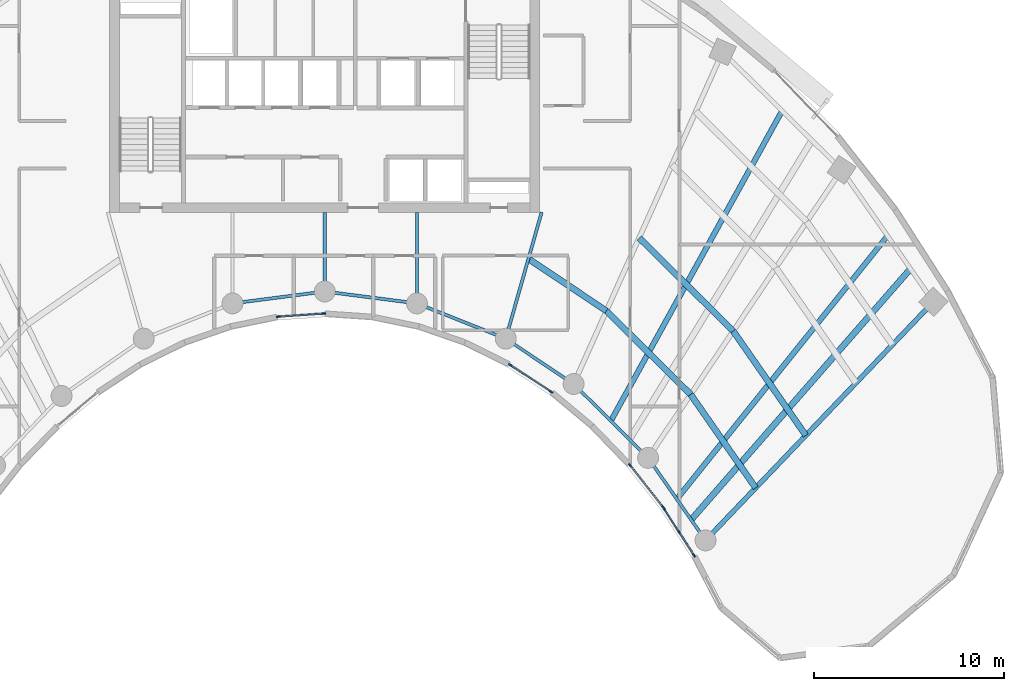
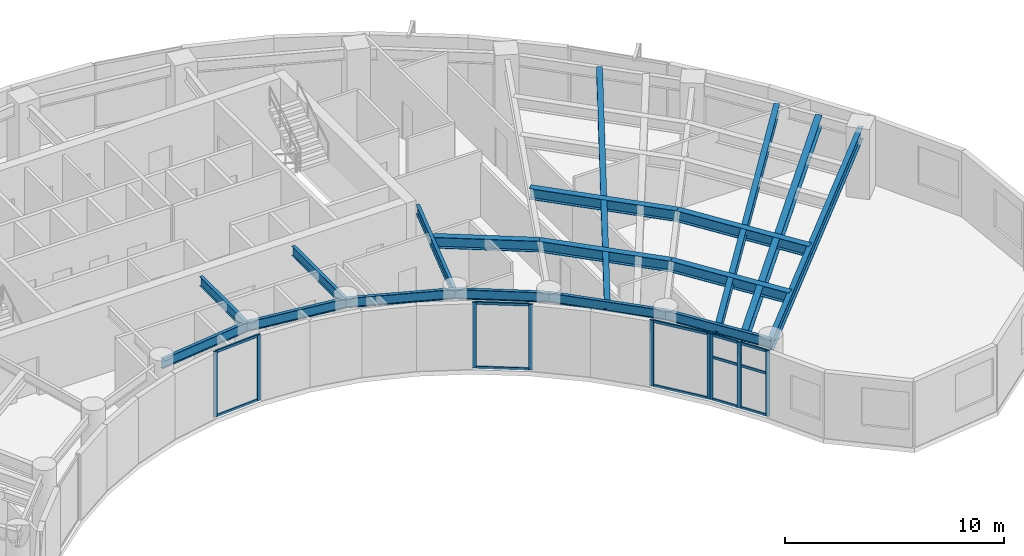
# One storey, part 3 of 13: 21 members, 18 beams, 4 elements without a shape of their own.
"""IFC4 building model written with IfcOpenShell, lengths in metres."""

from ifc_helpers import new_model, si_unit, direction, frame, origin, origin_2d, place, context, subcontext, project, spatial, rectangle, i_section, extrude, source, transform, mapped, material, layer, layer_set, material_profile, profile_set, type_object, type_shapes, element, aggregate, save


model = new_model("IFC4")

# Units and contexts
model_context = context("Model", 3, precision=1e-05, world=origin(), true_north=direction((0.0, 1.0)))
body_context = subcontext(model_context, "Body", "Model", "MODEL_VIEW")
ifc_project = project(units=[si_unit("LENGTHUNIT", "METRE"), si_unit("AREAUNIT", "SQUARE_METRE"), si_unit("VOLUMEUNIT", "CUBIC_METRE"), si_unit("PLANEANGLEUNIT", "RADIAN"), si_unit("MASSUNIT", "GRAM", prefix="KILO")], contexts=[model_context])

# Site, building, storey
site_placement = place(None, origin())
site = spatial("IfcSite", under=ifc_project, at=site_placement, CompositionType="ELEMENT")
building_placement = place(site_placement, origin())
building = spatial("IfcBuilding", under=site, at=building_placement, Name="Breltana Convention Tower", CompositionType="ELEMENT")
storey_placement = place(building_placement, frame((0.0, 0.0, 142.800048828125)))
storey = spatial("IfcBuildingStorey", under=building, at=storey_placement, Name="L34", CompositionType="ELEMENT", Elevation=142.800048828125)

# Beams
ifc_material_1 = material(Name="Steel ASTM A992 Grade 50", Category="steel")
ifc_material_profile_1 = material_profile(ifc_material_1, i_section(OverallWidth=0.25390625, OverallDepth=0.68798828125, WebThickness=0.01318359375, FlangeThickness=0.02099609375, at=origin_2d()), Name="W27X102")
ifc_profile_set_1 = profile_set([ifc_material_profile_1], Name="Steel ASTM A992 Grade 50")
beam_type_1 = type_object("IfcBeamType", Name="BM-RG-W27X102", PredefinedType="USERDEFINED", material=ifc_profile_set_1)
shared_shape_1 = source(origin(), body_context, "Body", "SweptSolid", [
    extrude(i_section(OverallWidth=0.25390625, OverallDepth=0.68798828125, WebThickness=0.01318359375, FlangeThickness=0.02099609375, at=origin_2d()), origin(), (0.0, 0.0, 1.0), 17.341064453125),
])
type_shapes(beam_type_1, [shared_shape_1])
beam_1_placement = place(storey_placement, frame((68.015380859375, 42.95458984375, 3.305908203125), z_axis=(0.690716462293, 0.723125693581, 0.0), x_axis=(-0.723125693581, 0.690716462293, 0.0)))
element("IfcBeam", 1, at=beam_1_placement, inside=storey, type_object=beam_type_1, Name="L34 Radial Floor Girder R11", ObjectType="GIRDER", PredefinedType="USERDEFINED", context=body_context, shape_type="MappedRepresentation", body=[
    mapped(shared_shape_1, transform((0.0, 0.0, 0.0), scale=1.0)),
])
ifc_material_profile_2 = material_profile(ifc_material_1, i_section(OverallWidth=0.166015625, OverallDepth=0.534912109375, WebThickness=0.01025390625, FlangeThickness=0.0166015625, at=origin_2d()), Name="W21X57")
ifc_profile_set_2 = profile_set([ifc_material_profile_2], Name="Steel ASTM A992 Grade 50")
beam_type_2 = type_object("IfcBeamType", Name="BM-BM-W21X57", PredefinedType="BEAM", material=ifc_profile_set_2)
shared_shape_2 = source(origin(), body_context, "Body", "SweptSolid", [
    extrude(i_section(OverallWidth=0.166015625, OverallDepth=0.534912109375, WebThickness=0.01025390625, FlangeThickness=0.0166015625, at=origin_2d()), origin(), (0.0, 0.0, 1.0), 6.904541015625),
])
type_shapes(beam_type_2, [shared_shape_2])
beam_2_placement = place(storey_placement, frame((59.39990234375, 60.199951171875, 3.382568359375), z_axis=(-0.273006781054, -0.962012108811, 0.0), x_axis=(0.962012108811, -0.273006781054, 0.0)))
element("IfcBeam", 2, at=beam_2_placement, inside=storey, type_object=beam_type_2, Name="L34 South Core Tie Girder R08", PredefinedType="BEAM", context=body_context, shape_type="MappedRepresentation", body=[
    mapped(shared_shape_2, transform((0.0, 0.0, 0.0), scale=1.0)),
])
shared_shape_3 = source(origin(), body_context, "Body", "SweptSolid", [
    extrude(i_section(OverallWidth=0.166015625, OverallDepth=0.534912109375, WebThickness=0.01025390625, FlangeThickness=0.0166015625, at=origin_2d()), origin(), (0.0, 0.0, 1.0), 4.789306640625),
])
beam_3_placement = place(storey_placement, frame((52.846435546875, 60.199951171875, 3.382568359375), z_axis=(0.0, -1.0, 0.0), x_axis=(1.0, 0.0, 0.0)))
element("IfcBeam", 3, at=beam_3_placement, inside=storey, type_object=beam_type_2, Name="L34 South Core Tie Girder R07", PredefinedType="BEAM", context=body_context, shape_type="MappedRepresentation", body=[
    mapped(shared_shape_3, transform((0.0, 0.0, 0.0), scale=1.0)),
])
shared_shape_4 = source(origin(), body_context, "Body", "SweptSolid", [
    extrude(i_section(OverallWidth=0.166015625, OverallDepth=0.534912109375, WebThickness=0.01025390625, FlangeThickness=0.0166015625, at=origin_2d()), origin(), (0.0, 0.0, 1.0), 4.1640625),
])
beam_4_placement = place(storey_placement, frame((48.0, 60.199951171875, 3.382568359375), z_axis=(0.0, -1.0, 0.0), x_axis=(1.0, 0.0, 0.0)))
element("IfcBeam", 4, at=beam_4_placement, inside=storey, type_object=beam_type_2, Name="L34 South Core Tie Girder R06", PredefinedType="BEAM", context=body_context, shape_type="MappedRepresentation", body=[
    mapped(shared_shape_4, transform((0.0, 0.0, 0.0), scale=1.0)),
])
shared_shape_5 = source(origin(), body_context, "Body", "SweptSolid", [
    extrude(i_section(OverallWidth=0.166015625, OverallDepth=0.534912109375, WebThickness=0.01025390625, FlangeThickness=0.0166015625, at=origin_2d()), origin(), (0.0, 0.0, 1.0), 5.022705078125),
])
beam_5_placement = place(storey_placement, frame((52.846435546875, 55.41064453125, 3.382568359375), z_axis=(0.929458966248, -0.368925507469, 0.0), x_axis=(0.368925507469, 0.929458966248, 0.0)))
element("IfcBeam", 5, at=beam_5_placement, inside=storey, type_object=beam_type_2, Name="L34 Inner Ring Beam 07", PredefinedType="BEAM", context=body_context, shape_type="MappedRepresentation", body=[
    mapped(shared_shape_5, transform((0.0, 0.0, 0.0), scale=1.0)),
])
shared_shape_6 = source(origin(), body_context, "Body", "SweptSolid", [
    extrude(i_section(OverallWidth=0.166015625, OverallDepth=0.534912109375, WebThickness=0.01025390625, FlangeThickness=0.0166015625, at=origin_2d()), origin(), (0.0, 0.0, 1.0), 4.88671875),
])
for number, where, z_axis, x_axis, name in (
    (6, (43.153564453125, 55.41064453125, 3.382568359375), (0.991780525565, 0.127950729231, 0.0), (-0.127950729231, 0.991780525565, 0.0), "L34 Inner Ring Beam 05"),
    (7, (48.0, 56.035888671875, 3.382568359375), (0.991780525565, -0.127950729231, 0.0), (0.127950729231, 0.991780525565, 0.0), "L34 Inner Ring Beam 06"),
):
    element("IfcBeam", number, at=place(storey_placement, frame(where, z_axis=z_axis, x_axis=x_axis)), inside=storey, type_object=beam_type_2, Name=name, PredefinedType="BEAM", context=body_context, shape_type="MappedRepresentation", body=[
        mapped(shared_shape_6, transform((0.0, 0.0, 0.0), scale=1.0)),
    ])
shared_shape_7 = source(origin(), body_context, "Body", "SweptSolid", [
    extrude(i_section(OverallWidth=0.166015625, OverallDepth=0.534912109375, WebThickness=0.01025390625, FlangeThickness=0.0166015625, at=origin_2d()), origin(), (0.0, 0.0, 1.0), 4.2900390625),
])
beam_6_placement = place(storey_placement, frame((57.514892578125, 53.5576171875, 3.382568359375), z_axis=(0.831515827753, -0.555501060482, 0.0), x_axis=(0.555501060482, 0.831515827753, 0.0)))
element("IfcBeam", 8, at=beam_6_placement, inside=storey, type_object=beam_type_2, Name="L34 Inner Ring Beam 08", PredefinedType="BEAM", context=body_context, shape_type="MappedRepresentation", body=[
    mapped(shared_shape_7, transform((0.0, 0.0, 0.0), scale=1.0)),
])
shared_shape_8 = source(origin(), body_context, "Body", "SweptSolid", [
    extrude(i_section(OverallWidth=0.166015625, OverallDepth=0.534912109375, WebThickness=0.01025390625, FlangeThickness=0.0166015625, at=origin_2d()), origin(), (0.0, 0.0, 1.0), 5.51171875),
])
beam_7_placement = place(storey_placement, frame((61.08203125, 51.174560546875, 3.382568359375), z_axis=(0.710090360749, -0.704110559196, 0.0), x_axis=(0.704110559196, 0.710090360749, 0.0)))
element("IfcBeam", 9, at=beam_7_placement, inside=storey, type_object=beam_type_2, Name="L34 Inner Ring Beam 09", PredefinedType="BEAM", context=body_context, shape_type="MappedRepresentation", body=[
    mapped(shared_shape_8, transform((0.0, 0.0, 0.0), scale=1.0)),
])
shared_shape_9 = source(origin(), body_context, "Body", "SweptSolid", [
    extrude(i_section(OverallWidth=0.166015625, OverallDepth=0.534912109375, WebThickness=0.01025390625, FlangeThickness=0.0166015625, at=origin_2d()), origin(), (0.0, 0.0, 1.0), 5.286376953125),
])
beam_8_placement = place(storey_placement, frame((64.995849609375, 47.293701171875, 3.382568359375), z_axis=(0.571194382458, -0.82081482531, 0.0), x_axis=(0.82081482531, 0.571194382458, 0.0)))
element("IfcBeam", 10, at=beam_8_placement, inside=storey, type_object=beam_type_2, Name="L34 Inner Ring Beam 10", PredefinedType="BEAM", context=body_context, shape_type="MappedRepresentation", body=[
    mapped(shared_shape_9, transform((0.0, 0.0, 0.0), scale=1.0)),
])
ifc_material_profile_3 = material_profile(ifc_material_1, i_section(OverallWidth=0.323974609375, OverallDepth=0.611083984375, WebThickness=0.0126953125, FlangeThickness=0.01904296875, at=origin_2d()), Name="W24X104")
ifc_profile_set_3 = profile_set([ifc_material_profile_3], Name="Steel ASTM A992 Grade 50")
beam_type_3 = type_object("IfcBeamType", Name="BM-JSG-01", PredefinedType="JOIST", material=ifc_profile_set_3)
shared_shape_10 = source(origin(), body_context, "Body", "SweptSolid", [
    extrude(i_section(OverallWidth=0.323974609375, OverallDepth=0.611083984375, WebThickness=0.0126953125, FlangeThickness=0.01904296875, at=origin_2d()), origin(), (0.0, 0.0, 1.0), 4.854736328125),
])
beam_9_placement = place(storey_placement, frame((58.767578125, 57.71240234375, 3.344482421875), z_axis=(0.831485074305, -0.555547091801, 0.0), x_axis=(0.555547091801, 0.831485074305, 0.0)))
element("IfcBeam", 11, at=beam_9_placement, inside=storey, type_object=beam_type_3, Name="L34 Composite Floor Joist 08.1", PredefinedType="JOIST", context=body_context, shape_type="MappedRepresentation", body=[
    mapped(shared_shape_10, transform((0.0, 0.0, 0.0), scale=1.0)),
])
shared_shape_11 = source(origin(), body_context, "Body", "SweptSolid", [
    extrude(i_section(OverallWidth=0.323974609375, OverallDepth=0.611083984375, WebThickness=0.0126953125, FlangeThickness=0.01904296875, at=origin_2d()), origin(), (0.0, 0.0, 1.0), 6.2373046875),
])
beam_10_placement = place(storey_placement, frame((62.80419921875, 55.015380859375, 3.344482421875), z_axis=(0.710114292485, -0.704086423394, 0.0), x_axis=(0.704086423394, 0.710114292485, 0.0)))
element("IfcBeam", 12, at=beam_10_placement, inside=storey, type_object=beam_type_3, Name="L34 Composite Floor Joist 09.1", PredefinedType="JOIST", context=body_context, shape_type="MappedRepresentation", body=[
    mapped(shared_shape_11, transform((0.0, 0.0, 0.0), scale=1.0)),
])
shared_shape_12 = source(origin(), body_context, "Body", "SweptSolid", [
    extrude(i_section(OverallWidth=0.323974609375, OverallDepth=0.611083984375, WebThickness=0.0126953125, FlangeThickness=0.01904296875, at=origin_2d()), origin(), (0.0, 0.0, 1.0), 6.963134765625),
])
beam_11_placement = place(storey_placement, frame((64.526611328125, 58.8564453125, 3.344482421875), z_axis=(0.71009817493, -0.704102678564, 0.0), x_axis=(0.704102678564, 0.71009817493, 0.0)))
element("IfcBeam", 13, at=beam_11_placement, inside=storey, type_object=beam_type_3, Name="L34 Composite Floor Joist 09.2", PredefinedType="JOIST", context=body_context, shape_type="MappedRepresentation", body=[
    mapped(shared_shape_12, transform((0.0, 0.0, 0.0), scale=1.0)),
])
ifc_material_profile_4 = material_profile(ifc_material_1, i_section(OverallWidth=0.280029296875, OverallDepth=0.462890625, WebThickness=0.0107421875, FlangeThickness=0.017333984375, at=origin_2d()), Name="W18X76")
ifc_profile_set_4 = profile_set([ifc_material_profile_4], Name="Steel ASTM A992 Grade 50")
beam_type_4 = type_object("IfcBeamType", Name="BM-JSG-06", PredefinedType="JOIST", material=ifc_profile_set_4)
shared_shape_13 = source(origin(), body_context, "Body", "SweptSolid", [
    extrude(i_section(OverallWidth=0.280029296875, OverallDepth=0.462890625, WebThickness=0.0107421875, FlangeThickness=0.017333984375, at=origin_2d()), origin(), (0.0, 0.0, 1.0), 18.617431640625),
])
beam_12_placement = place(storey_placement, frame((63.038818359375, 49.234130859375, 3.41845703125), z_axis=(0.483405602507, 0.875396495004, 0.0), x_axis=(-0.875396495004, 0.483405602507, 0.0)))
element("IfcBeam", 14, at=beam_12_placement, inside=storey, type_object=beam_type_4, Name="L34 Mid-Bay Radial Trimmer 09", PredefinedType="JOIST", context=body_context, shape_type="MappedRepresentation", body=[
    mapped(shared_shape_13, transform((0.0, 0.0, 0.0), scale=1.0)),
])
shared_shape_14 = source(origin(), body_context, "Body", "SweptSolid", [
    extrude(i_section(OverallWidth=0.323974609375, OverallDepth=0.611083984375, WebThickness=0.0126953125, FlangeThickness=0.01904296875, at=origin_2d()), origin(), (0.0, 0.0, 1.0), 5.982421875),
])
beam_13_placement = place(storey_placement, frame((67.2333984375, 50.623779296875, 3.344482421875), z_axis=(0.571211549446, -0.82080287876, 0.0), x_axis=(0.82080287876, 0.571211549446, 0.0)))
element("IfcBeam", 15, at=beam_13_placement, inside=storey, type_object=beam_type_3, Name="L34 Composite Floor Joist 10.1", PredefinedType="JOIST", context=body_context, shape_type="MappedRepresentation", body=[
    mapped(shared_shape_14, transform((0.0, 0.0, 0.0), scale=1.0)),
])
shared_shape_15 = source(origin(), body_context, "Body", "SweptSolid", [
    extrude(i_section(OverallWidth=0.323974609375, OverallDepth=0.611083984375, WebThickness=0.0126953125, FlangeThickness=0.01904296875, at=origin_2d()), origin(), (0.0, 0.0, 1.0), 6.677978515625),
])
beam_14_placement = place(storey_placement, frame((69.47119140625, 53.95361328125, 3.344482421875), z_axis=(0.571193018768, -0.820815774282, 0.0), x_axis=(0.820815774282, 0.571193018768, 0.0)))
element("IfcBeam", 16, at=beam_14_placement, inside=storey, type_object=beam_type_3, Name="L34 Composite Floor Joist 10.2", PredefinedType="JOIST", context=body_context, shape_type="MappedRepresentation", body=[
    mapped(shared_shape_15, transform((0.0, 0.0, 0.0), scale=1.0)),
])
shared_shape_16 = source(origin(), body_context, "Body", "SweptSolid", [
    extrude(i_section(OverallWidth=0.280029296875, OverallDepth=0.462890625, WebThickness=0.0107421875, FlangeThickness=0.017333984375, at=origin_2d()), origin(), (0.0, 0.0, 1.0), 17.7236328125),
])
beam_15_placement = place(storey_placement, frame((66.505615234375, 45.124267578125, 3.41845703125), z_axis=(0.624829427563, 0.78076128647, 0.0), x_axis=(-0.78076128647, 0.624829427563, 0.0)))
element("IfcBeam", 17, at=beam_15_placement, inside=storey, type_object=beam_type_4, Name="L34 Mid-Bay Radial Trimmer 10", PredefinedType="JOIST", context=body_context, shape_type="MappedRepresentation", body=[
    mapped(shared_shape_16, transform((0.0, 0.0, 0.0), scale=1.0)),
])
shared_shape_17 = source(origin(), body_context, "Body", "SweptSolid", [
    extrude(i_section(OverallWidth=0.323974609375, OverallDepth=0.611083984375, WebThickness=0.0126953125, FlangeThickness=0.01904296875, at=origin_2d()), origin(), (0.0, 0.0, 1.0), 17.515625),
])
beam_16_placement = place(storey_placement, frame((67.260498046875, 44.03955078125, 3.344482421875), z_axis=(0.658051548324, 0.752972881151, 0.0), x_axis=(-0.752972881151, 0.658051548324, 0.0)))
element("IfcBeam", 18, at=beam_16_placement, inside=storey, type_object=beam_type_3, Name="L34 Quarter-Bay Radial Trimmer 10", PredefinedType="JOIST", context=body_context, shape_type="MappedRepresentation", body=[
    mapped(shared_shape_17, transform((0.0, 0.0, 0.0), scale=1.0)),
])

# Curtain wall, members
ifc_material_2 = material(Name="Aluminium Anodised Bronze Frame", Category="aluminium")
ifc_layer = layer(ifc_material_2, 0.18994140625, Name="Aluminium Anodised Bronze Frame")
ifc_layer_set = layer_set([ifc_layer], Name="Aluminium Anodised Bronze Frame")
curtain_wall_type = type_object("IfcCurtainWallType", Name="CW-SYS-1", PredefinedType="NOTDEFINED", material=ifc_layer_set)
curtain_wall_1_placement = place(storey_placement, origin())
curtain_wall_1 = element("IfcCurtainWall", 19, at=curtain_wall_1_placement, inside=storey, type_object=curtain_wall_type, Name="L34 inner south-court glazing 1", PredefinedType="NOTDEFINED")
ifc_material_3 = material(Name="Aluminium Anodised Bronze", Category="aluminium")
ifc_material_profile_5 = material_profile(ifc_material_3, rectangle(XDim=0.080078125, YDim=0.199951171875, at=origin_2d()), Name="CWM-80X200")
ifc_profile_set_5 = profile_set([ifc_material_profile_5], Name="Aluminium Anodised Bronze")
member_type_1 = type_object("IfcMemberType", Name="CWM-200", PredefinedType="MULLION", material=ifc_profile_set_5)
shared_shape_18 = source(origin(), body_context, "Body", "SweptSolid", [
    extrude(rectangle(XDim=0.080078125, YDim=0.199951171875, at=origin_2d()), origin(), (0.0, 0.0, 1.0), 3.64990234375),
])
member_1_placement = place(storey_placement, frame((67.40966796875, 42.17041015625, 0.0), z_axis=(0.0, 0.0, 1.0), x_axis=(-0.841546744491, -0.540184298954, 0.0)))
member_1 = element("IfcMember", 20, at=member_1_placement, type_object=member_type_1, Name="CW-01 mullion 1", PredefinedType="MULLION", context=body_context, shape_type="MappedRepresentation", body=[
    mapped(shared_shape_18, transform((0.0, 0.0, 0.0), scale=1.0)),
])
member_2_placement = place(storey_placement, frame((66.626220703125, 43.390869140625, 0.0), z_axis=(0.0, 0.0, 1.0), x_axis=(-0.841546744491, -0.540184298954, 0.0)))
member_2 = element("IfcMember", 21, at=member_2_placement, type_object=member_type_1, Name="CW-01 mullion 2", PredefinedType="MULLION", context=body_context, shape_type="MappedRepresentation", body=[
    mapped(shared_shape_18, transform((0.0, 0.0, 0.0), scale=1.0)),
])
member_3_placement = place(storey_placement, frame((65.843017578125, 44.611328125, 0.0), z_axis=(0.0, 0.0, 1.0), x_axis=(-0.841546744491, -0.540184298954, 0.0)))
member_3 = element("IfcMember", 22, at=member_3_placement, type_object=member_type_1, Name="CW-01 mullion 3", PredefinedType="MULLION", context=body_context, shape_type="MappedRepresentation", body=[
    mapped(shared_shape_18, transform((0.0, 0.0, 0.0), scale=1.0)),
])

curtain_wall_2_placement = place(storey_placement, origin())
curtain_wall_2 = element("IfcCurtainWall", 23, at=curtain_wall_2_placement, inside=storey, type_object=curtain_wall_type, Name="L34 inner south-court glazing 2", PredefinedType="NOTDEFINED")
member_4_placement = place(storey_placement, frame((65.78662109375, 44.6904296875, 0.0), z_axis=(0.0, 0.0, 1.0), x_axis=(-0.786051168431, -0.618161435717, 0.0)))
member_4 = element("IfcMember", 24, at=member_4_placement, type_object=member_type_1, Name="CW-01 mullion 1", PredefinedType="MULLION", context=body_context, shape_type="MappedRepresentation", body=[
    mapped(shared_shape_18, transform((0.0, 0.0, 0.0), scale=1.0)),
])
member_5_placement = place(storey_placement, frame((64.045166015625, 46.905029296875, 0.0), z_axis=(0.0, 0.0, 1.0), x_axis=(-0.786051168431, -0.618161435717, 0.0)))
member_5 = element("IfcMember", 25, at=member_5_placement, type_object=member_type_1, Name="CW-01 mullion 2", PredefinedType="MULLION", context=body_context, shape_type="MappedRepresentation", body=[
    mapped(shared_shape_18, transform((0.0, 0.0, 0.0), scale=1.0)),
])

curtain_wall_3_placement = place(storey_placement, origin())
curtain_wall_3 = element("IfcCurtainWall", 26, at=curtain_wall_3_placement, inside=storey, type_object=curtain_wall_type, Name="L34 inner south-court glazing 3", PredefinedType="NOTDEFINED")
member_6_placement = place(storey_placement, frame((59.894775390625, 50.76904296875, 0.0), z_axis=(0.0, 0.0, 1.0), x_axis=(-0.548751973252, -0.835985210307, 0.0)))
member_6 = element("IfcMember", 27, at=member_6_placement, type_object=member_type_1, Name="CW-01 mullion 1", PredefinedType="MULLION", context=body_context, shape_type="MappedRepresentation", body=[
    mapped(shared_shape_18, transform((0.0, 0.0, 0.0), scale=1.0)),
])
member_7_placement = place(storey_placement, frame((57.744384765625, 52.1806640625, 0.0), z_axis=(0.0, 0.0, 1.0), x_axis=(-0.548751973252, -0.835985210307, 0.0)))
member_7 = element("IfcMember", 28, at=member_7_placement, type_object=member_type_1, Name="CW-01 mullion 2", PredefinedType="MULLION", context=body_context, shape_type="MappedRepresentation", body=[
    mapped(shared_shape_18, transform((0.0, 0.0, 0.0), scale=1.0)),
])

curtain_wall_4_placement = place(storey_placement, origin())
curtain_wall_4 = element("IfcCurtainWall", 29, at=curtain_wall_4_placement, inside=storey, type_object=curtain_wall_type, Name="L34 inner south-court glazing 4", PredefinedType="NOTDEFINED")
member_8_placement = place(storey_placement, frame((47.947998046875, 54.872802734375, 0.0), z_axis=(0.0, 0.0, 1.0), x_axis=(0.067732810965, -0.997703496195, 0.0)))
member_8 = element("IfcMember", 30, at=member_8_placement, type_object=member_type_1, Name="CW-01 mullion 1", PredefinedType="MULLION", context=body_context, shape_type="MappedRepresentation", body=[
    mapped(shared_shape_18, transform((0.0, 0.0, 0.0), scale=1.0)),
])
member_9_placement = place(storey_placement, frame((45.56201171875, 54.7109375, 0.0), z_axis=(0.0, 0.0, 1.0), x_axis=(0.067732810965, -0.997703496195, 0.0)))
member_9 = element("IfcMember", 31, at=member_9_placement, type_object=member_type_1, Name="CW-01 mullion 2", PredefinedType="MULLION", context=body_context, shape_type="MappedRepresentation", body=[
    mapped(shared_shape_18, transform((0.0, 0.0, 0.0), scale=1.0)),
])

# Member
ifc_material_profile_6 = material_profile(ifc_material_3, rectangle(XDim=0.080078125, YDim=0.139892578125, at=origin_2d()), Name="CWT-80X140")
ifc_profile_set_6 = profile_set([ifc_material_profile_6], Name="Aluminium Anodised Bronze")
member_type_2 = type_object("IfcMemberType", Name="CWT-140", PredefinedType="USERDEFINED", material=ifc_profile_set_6)
shared_shape_19 = source(origin(), body_context, "Body", "SweptSolid", [
    extrude(rectangle(XDim=0.080078125, YDim=0.139892578125, at=origin_2d()), origin(), (0.0, 0.0, 1.0), 1.3701171875),
])
member_10_placement = place(storey_placement, frame((67.38818359375, 42.2041015625, 0.0400390625), z_axis=(-0.540226175019, 0.841519863, 0.0), x_axis=(-0.841519863, -0.540226175019, 0.0)))
member_10 = element("IfcMember", 32, at=member_10_placement, type_object=member_type_2, Name="CW-01 transom 1.1", ObjectType="TRANSOM", PredefinedType="USERDEFINED", context=body_context, shape_type="MappedRepresentation", body=[
    mapped(shared_shape_19, transform((0.0, 0.0, 0.0), scale=1.0)),
])

member_11_placement = place(storey_placement, frame((67.38818359375, 42.2041015625, 2.37255859375), z_axis=(-0.540226175019, 0.841519863, 0.0), x_axis=(-0.841519863, -0.540226175019, 0.0)))
member_11 = element("IfcMember", 33, at=member_11_placement, type_object=member_type_2, Name="CW-01 transom 1.2", ObjectType="TRANSOM", PredefinedType="USERDEFINED", context=body_context, shape_type="MappedRepresentation", body=[
    mapped(shared_shape_19, transform((0.0, 0.0, 0.0), scale=1.0)),
])

member_12_placement = place(storey_placement, frame((67.38818359375, 42.2041015625, 3.60986328125), z_axis=(-0.540226175019, 0.841519863, 0.0), x_axis=(-0.841519863, -0.540226175019, 0.0)))
member_12 = element("IfcMember", 34, at=member_12_placement, type_object=member_type_2, Name="CW-01 transom 1.3", ObjectType="TRANSOM", PredefinedType="USERDEFINED", context=body_context, shape_type="MappedRepresentation", body=[
    mapped(shared_shape_19, transform((0.0, 0.0, 0.0), scale=1.0)),
])

member_13_placement = place(storey_placement, frame((66.604736328125, 43.424560546875, 0.0400390625), z_axis=(-0.540226175019, 0.841519863, 0.0), x_axis=(-0.841519863, -0.540226175019, 0.0)))
member_13 = element("IfcMember", 35, at=member_13_placement, type_object=member_type_2, Name="CW-01 transom 2.1", ObjectType="TRANSOM", PredefinedType="USERDEFINED", context=body_context, shape_type="MappedRepresentation", body=[
    mapped(shared_shape_19, transform((0.0, 0.0, 0.0), scale=1.0)),
])

member_14_placement = place(storey_placement, frame((66.604736328125, 43.424560546875, 2.37255859375), z_axis=(-0.540226175019, 0.841519863, 0.0), x_axis=(-0.841519863, -0.540226175019, 0.0)))
member_14 = element("IfcMember", 36, at=member_14_placement, type_object=member_type_2, Name="CW-01 transom 2.2", ObjectType="TRANSOM", PredefinedType="USERDEFINED", context=body_context, shape_type="MappedRepresentation", body=[
    mapped(shared_shape_19, transform((0.0, 0.0, 0.0), scale=1.0)),
])

member_15_placement = place(storey_placement, frame((66.604736328125, 43.424560546875, 3.60986328125), z_axis=(-0.540226175019, 0.841519863, 0.0), x_axis=(-0.841519863, -0.540226175019, 0.0)))
member_15 = element("IfcMember", 37, at=member_15_placement, type_object=member_type_2, Name="CW-01 transom 2.3", ObjectType="TRANSOM", PredefinedType="USERDEFINED", context=body_context, shape_type="MappedRepresentation", body=[
    mapped(shared_shape_19, transform((0.0, 0.0, 0.0), scale=1.0)),
])

aggregate(curtain_wall_1, [member_1, member_2, member_3, member_10, member_11, member_12, member_13, member_14, member_15])

shared_shape_20 = source(origin(), body_context, "Body", "SweptSolid", [
    extrude(rectangle(XDim=0.080078125, YDim=0.139892578125, at=origin_2d()), origin(), (0.0, 0.0, 1.0), 2.7373046875),
])
member_16_placement = place(storey_placement, frame((65.761962890625, 44.721923828125, 0.0400390625), z_axis=(-0.618179938224, 0.786036617453, 0.0), x_axis=(-0.786036617453, -0.618179938224, 0.0)))
member_16 = element("IfcMember", 38, at=member_16_placement, type_object=member_type_2, Name="CW-01 transom 1.1", ObjectType="TRANSOM", PredefinedType="USERDEFINED", context=body_context, shape_type="MappedRepresentation", body=[
    mapped(shared_shape_20, transform((0.0, 0.0, 0.0), scale=1.0)),
])

member_17_placement = place(storey_placement, frame((65.761962890625, 44.721923828125, 3.60986328125), z_axis=(-0.618179938224, 0.786036617453, 0.0), x_axis=(-0.786036617453, -0.618179938224, 0.0)))
member_17 = element("IfcMember", 39, at=member_17_placement, type_object=member_type_2, Name="CW-01 transom 1.2", ObjectType="TRANSOM", PredefinedType="USERDEFINED", context=body_context, shape_type="MappedRepresentation", body=[
    mapped(shared_shape_20, transform((0.0, 0.0, 0.0), scale=1.0)),
])

aggregate(curtain_wall_2, [member_4, member_5, member_16, member_17])

shared_shape_21 = source(origin(), body_context, "Body", "SweptSolid", [
    extrude(rectangle(XDim=0.080078125, YDim=0.139892578125, at=origin_2d()), origin(), (0.0, 0.0, 1.0), 2.4921875),
])
member_18_placement = place(storey_placement, frame((59.861328125, 50.791015625, 0.0400390625), z_axis=(-0.83597769484, 0.548763422369, 0.0), x_axis=(-0.548763422369, -0.83597769484, 0.0)))
member_18 = element("IfcMember", 40, at=member_18_placement, type_object=member_type_2, Name="CW-01 transom 1.1", ObjectType="TRANSOM", PredefinedType="USERDEFINED", context=body_context, shape_type="MappedRepresentation", body=[
    mapped(shared_shape_21, transform((0.0, 0.0, 0.0), scale=1.0)),
])

member_19_placement = place(storey_placement, frame((59.861328125, 50.791015625, 3.60986328125), z_axis=(-0.83597769484, 0.548763422369, 0.0), x_axis=(-0.548763422369, -0.83597769484, 0.0)))
member_19 = element("IfcMember", 41, at=member_19_placement, type_object=member_type_2, Name="CW-01 transom 1.2", ObjectType="TRANSOM", PredefinedType="USERDEFINED", context=body_context, shape_type="MappedRepresentation", body=[
    mapped(shared_shape_21, transform((0.0, 0.0, 0.0), scale=1.0)),
])

aggregate(curtain_wall_3, [member_6, member_7, member_18, member_19])

shared_shape_22 = source(origin(), body_context, "Body", "SweptSolid", [
    extrude(rectangle(XDim=0.080078125, YDim=0.139892578125, at=origin_2d()), origin(), (0.0, 0.0, 1.0), 2.3115234375),
])
member_20_placement = place(storey_placement, frame((47.907958984375, 54.8701171875, 0.0400390625), z_axis=(-0.997705471663, -0.067703706049, 0.0), x_axis=(0.067703706049, -0.997705471663, 0.0)))
member_20 = element("IfcMember", 42, at=member_20_placement, type_object=member_type_2, Name="CW-01 transom 1.1", ObjectType="TRANSOM", PredefinedType="USERDEFINED", context=body_context, shape_type="MappedRepresentation", body=[
    mapped(shared_shape_22, transform((0.0, 0.0, 0.0), scale=1.0)),
])

member_21_placement = place(storey_placement, frame((47.907958984375, 54.8701171875, 3.60986328125), z_axis=(-0.997705471663, -0.067703706049, 0.0), x_axis=(0.067703706049, -0.997705471663, 0.0)))
member_21 = element("IfcMember", 43, at=member_21_placement, type_object=member_type_2, Name="CW-01 transom 1.2", ObjectType="TRANSOM", PredefinedType="USERDEFINED", context=body_context, shape_type="MappedRepresentation", body=[
    mapped(shared_shape_22, transform((0.0, 0.0, 0.0), scale=1.0)),
])

aggregate(curtain_wall_4, [member_8, member_9, member_20, member_21])

save(model, "model.ifc")
